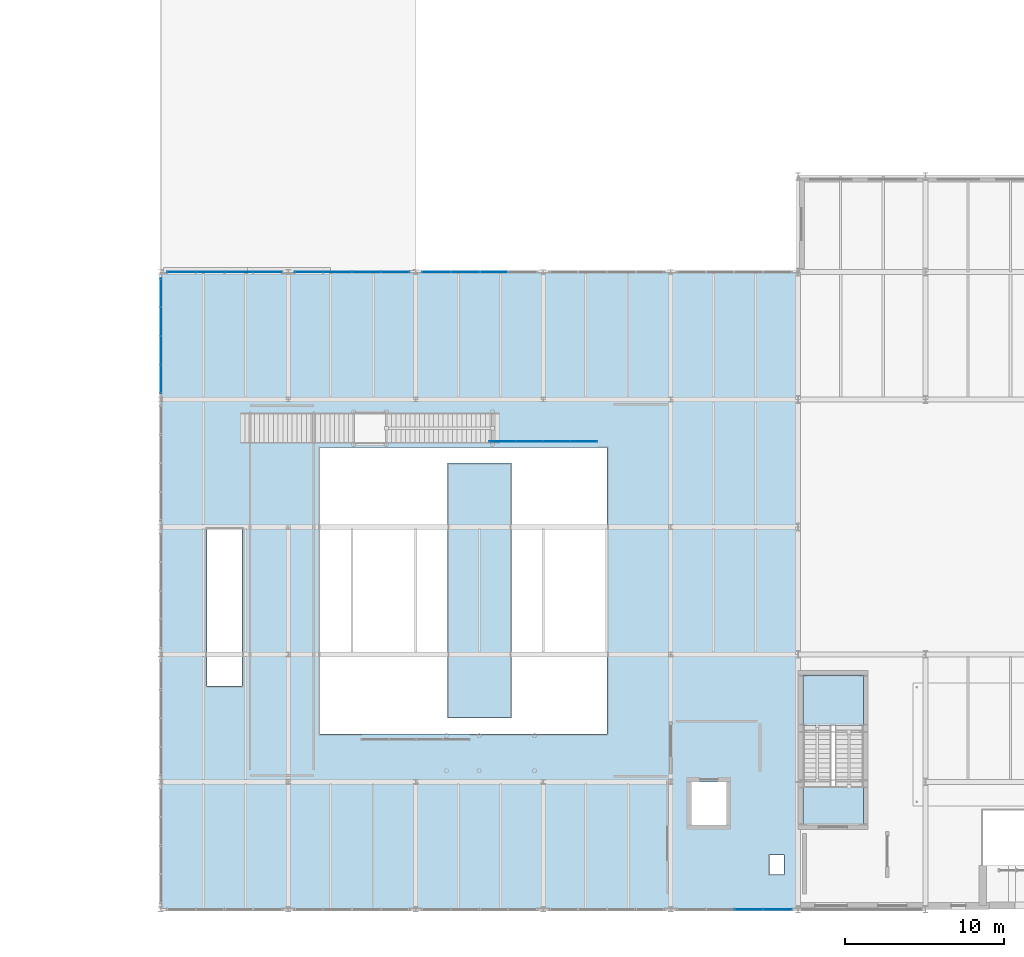
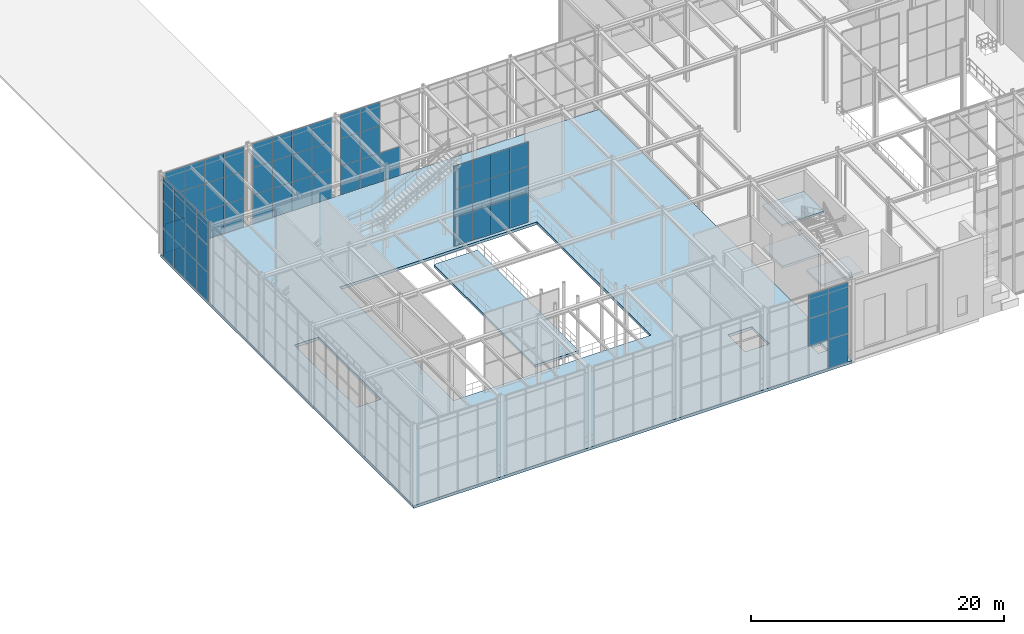
# One storey, part 76 of 138: 60 plates, 5 slabs, 7 elements without a shape of their own.
"""IFC4 building model written with IfcOpenShell, lengths in metres."""

from ifc_helpers import new_model, si_unit, direction, frame, origin, origin_2d, place, context, subcontext, project, spatial, polyline, rectangle, outline, extrude, material, layer, layer_set, type_object, element, aggregate, save


model = new_model("IFC4")

# Units and contexts
model_context = context("Model", 3, precision=1e-05, world=origin(), true_north=direction((0.0, 1.0)))
body_context = subcontext(model_context, "Body", "Model", "MODEL_VIEW")
ifc_project = project(units=[si_unit("LENGTHUNIT", "METRE"), si_unit("AREAUNIT", "SQUARE_METRE"), si_unit("VOLUMEUNIT", "CUBIC_METRE"), si_unit("PLANEANGLEUNIT", "RADIAN"), si_unit("MASSUNIT", "GRAM", prefix="KILO")], contexts=[model_context])

# Site, building, storey
site_placement = place(None, origin())
site = spatial("IfcSite", under=ifc_project, at=site_placement, CompositionType="ELEMENT")
building_placement = place(site_placement, origin())
building = spatial("IfcBuilding", under=site, at=building_placement, Name="Sundkrona Museum", CompositionType="ELEMENT")
storey_placement = place(building_placement, frame((0.0, 0.0, 9.60009765625)))
storey = spatial("IfcBuildingStorey", under=building, at=storey_placement, Name="L02", CompositionType="ELEMENT", Elevation=9.60009765625)

# Curtain wall, plates
ifc_material_1 = material(Name="Unitised Aluminium-Steel and Ceramic-Clad Curtain Walling", Category="steel")
curtain_wall_type_1 = type_object("IfcCurtainWallType", Name="CW-AT-72x74", PredefinedType="NOTDEFINED", material=ifc_material_1)
curtain_wall_1_placement = place(storey_placement, origin())
curtain_wall_1 = element("IfcCurtainWall", 1, at=curtain_wall_1_placement, inside=storey, type_object=curtain_wall_type_1, Name="L02 Curtain Wall CW-L02-047", PredefinedType="NOTDEFINED")
ifc_material_2 = material(Name="Triple Low-E Vision Glazing 32 mm", Category="glass")
ifc_layer_1 = layer(ifc_material_2, 0.031982421875)
ifc_layer_set_1 = layer_set([ifc_layer_1], Name="Triple Low-E Vision Glazing 32 mm")
plate_type_1 = type_object("IfcPlateType", Name="PN-GL-01", PredefinedType="CURTAIN_PANEL", material=ifc_layer_set_1)
plate_1_placement = place(storey_placement, frame((116.89990234375, 0.0, 2.78564453125), z_axis=(0.0, 0.0, 1.0), x_axis=(1.0, 0.0, 0.0)))
plate_1 = element("IfcPlate", 2, at=plate_1_placement, type_object=plate_type_1, Name="CW-L02-047 Panel 08", PredefinedType="CURTAIN_PANEL", context=body_context, shape_type="SweptSolid", body=[
    extrude(rectangle(XDim=1.800048828125, YDim=0.031982421875, at=origin_2d()), origin(), (0.0, 0.0, 1.0), 2.632080078125),
])
plate_2_placement = place(storey_placement, frame((116.89990234375, 0.0, 5.41796875), z_axis=(0.0, 0.0, 1.0), x_axis=(1.0, 0.0, 0.0)))
plate_2 = element("IfcPlate", 3, at=plate_2_placement, type_object=plate_type_1, Name="CW-L02-047 Panel 09", PredefinedType="CURTAIN_PANEL", context=body_context, shape_type="SweptSolid", body=[
    extrude(rectangle(XDim=1.800048828125, YDim=0.031982421875, at=origin_2d()), origin(), (0.0, 0.0, 1.0), 2.325927734375),
])
plate_3_placement = place(storey_placement, frame((118.699951171875, 0.0, -0.004150390625), z_axis=(0.0, 0.0, 1.0), x_axis=(1.0, 0.0, 0.0)))
plate_3 = element("IfcPlate", 4, at=plate_3_placement, type_object=plate_type_1, Name="CW-L02-047 Panel 10", PredefinedType="CURTAIN_PANEL", context=body_context, shape_type="SweptSolid", body=[
    extrude(rectangle(XDim=1.800048828125, YDim=0.031982421875, at=origin_2d()), origin(), (0.0, 0.0, 1.0), 2.7900390625),
])
plate_4_placement = place(storey_placement, frame((118.699951171875, 0.0, 2.78564453125), z_axis=(0.0, 0.0, 1.0), x_axis=(1.0, 0.0, 0.0)))
plate_4 = element("IfcPlate", 5, at=plate_4_placement, type_object=plate_type_1, Name="CW-L02-047 Panel 11", PredefinedType="CURTAIN_PANEL", context=body_context, shape_type="SweptSolid", body=[
    extrude(rectangle(XDim=1.800048828125, YDim=0.031982421875, at=origin_2d()), origin(), (0.0, 0.0, 1.0), 2.632080078125),
])
plate_5_placement = place(storey_placement, frame((118.699951171875, 0.0, 5.41796875), z_axis=(0.0, 0.0, 1.0), x_axis=(1.0, 0.0, 0.0)))
plate_5 = element("IfcPlate", 6, at=plate_5_placement, type_object=plate_type_1, Name="CW-L02-047 Panel 12", PredefinedType="CURTAIN_PANEL", context=body_context, shape_type="SweptSolid", body=[
    extrude(rectangle(XDim=1.800048828125, YDim=0.031982421875, at=origin_2d()), origin(), (0.0, 0.0, 1.0), 2.325927734375),
])
aggregate(curtain_wall_1, [plate_1, plate_2, plate_3, plate_4, plate_5])

curtain_wall_2_placement = place(storey_placement, origin())
curtain_wall_2 = element("IfcCurtainWall", 7, at=curtain_wall_2_placement, inside=storey, type_object=curtain_wall_type_1, Name="L02 Curtain Wall CW-L02-052", PredefinedType="NOTDEFINED")
plate_6_placement = place(storey_placement, frame((80.0, 33.300048828125, -0.004150390625), z_axis=(0.0, 0.0, 1.0), x_axis=(0.0, 1.0, 0.0)))
plate_6 = element("IfcPlate", 8, at=plate_6_placement, type_object=plate_type_1, Name="CW-L02-052 Panel 01", PredefinedType="CURTAIN_PANEL", context=body_context, shape_type="SweptSolid", body=[
    extrude(rectangle(XDim=1.800048828125, YDim=0.031982421875, at=origin_2d()), origin(), (0.0, 0.0, 1.0), 2.7900390625),
])
plate_7_placement = place(storey_placement, frame((80.0, 33.300048828125, 2.78564453125), z_axis=(0.0, 0.0, 1.0), x_axis=(0.0, 1.0, 0.0)))
plate_7 = element("IfcPlate", 9, at=plate_7_placement, type_object=plate_type_1, Name="CW-L02-052 Panel 02", PredefinedType="CURTAIN_PANEL", context=body_context, shape_type="SweptSolid", body=[
    extrude(rectangle(XDim=1.800048828125, YDim=0.031982421875, at=origin_2d()), origin(), (0.0, 0.0, 1.0), 2.632080078125),
])
plate_8_placement = place(storey_placement, frame((80.0, 33.300048828125, 5.41796875), z_axis=(0.0, 0.0, 1.0), x_axis=(0.0, 1.0, 0.0)))
plate_8 = element("IfcPlate", 10, at=plate_8_placement, type_object=plate_type_1, Name="CW-L02-052 Panel 03", PredefinedType="CURTAIN_PANEL", context=body_context, shape_type="SweptSolid", body=[
    extrude(rectangle(XDim=1.800048828125, YDim=0.031982421875, at=origin_2d()), origin(), (0.0, 0.0, 1.0), 2.325927734375),
])
plate_9_placement = place(storey_placement, frame((80.0, 35.10009765625, -0.004150390625), z_axis=(0.0, 0.0, 1.0), x_axis=(0.0, 1.0, 0.0)))
plate_9 = element("IfcPlate", 11, at=plate_9_placement, type_object=plate_type_1, Name="CW-L02-052 Panel 04", PredefinedType="CURTAIN_PANEL", context=body_context, shape_type="SweptSolid", body=[
    extrude(rectangle(XDim=1.800048828125, YDim=0.031982421875, at=origin_2d()), origin(), (0.0, 0.0, 1.0), 2.7900390625),
])
plate_10_placement = place(storey_placement, frame((80.0, 35.10009765625, 2.78564453125), z_axis=(0.0, 0.0, 1.0), x_axis=(0.0, 1.0, 0.0)))
plate_10 = element("IfcPlate", 12, at=plate_10_placement, type_object=plate_type_1, Name="CW-L02-052 Panel 05", PredefinedType="CURTAIN_PANEL", context=body_context, shape_type="SweptSolid", body=[
    extrude(rectangle(XDim=1.800048828125, YDim=0.031982421875, at=origin_2d()), origin(), (0.0, 0.0, 1.0), 2.632080078125),
])
plate_11_placement = place(storey_placement, frame((80.0, 35.10009765625, 5.41796875), z_axis=(0.0, 0.0, 1.0), x_axis=(0.0, 1.0, 0.0)))
plate_11 = element("IfcPlate", 13, at=plate_11_placement, type_object=plate_type_1, Name="CW-L02-052 Panel 06", PredefinedType="CURTAIN_PANEL", context=body_context, shape_type="SweptSolid", body=[
    extrude(rectangle(XDim=1.800048828125, YDim=0.031982421875, at=origin_2d()), origin(), (0.0, 0.0, 1.0), 2.325927734375),
])
plate_12_placement = place(storey_placement, frame((80.0, 36.89990234375, -0.004150390625), z_axis=(0.0, 0.0, 1.0), x_axis=(0.0, 1.0, 0.0)))
plate_12 = element("IfcPlate", 14, at=plate_12_placement, type_object=plate_type_1, Name="CW-L02-052 Panel 07", PredefinedType="CURTAIN_PANEL", context=body_context, shape_type="SweptSolid", body=[
    extrude(rectangle(XDim=1.800048828125, YDim=0.031982421875, at=origin_2d()), origin(), (0.0, 0.0, 1.0), 2.7900390625),
])
plate_13_placement = place(storey_placement, frame((80.0, 36.89990234375, 2.78564453125), z_axis=(0.0, 0.0, 1.0), x_axis=(0.0, 1.0, 0.0)))
plate_13 = element("IfcPlate", 15, at=plate_13_placement, type_object=plate_type_1, Name="CW-L02-052 Panel 08", PredefinedType="CURTAIN_PANEL", context=body_context, shape_type="SweptSolid", body=[
    extrude(rectangle(XDim=1.800048828125, YDim=0.031982421875, at=origin_2d()), origin(), (0.0, 0.0, 1.0), 2.632080078125),
])
plate_14_placement = place(storey_placement, frame((80.0, 36.89990234375, 5.41796875), z_axis=(0.0, 0.0, 1.0), x_axis=(0.0, 1.0, 0.0)))
plate_14 = element("IfcPlate", 16, at=plate_14_placement, type_object=plate_type_1, Name="CW-L02-052 Panel 09", PredefinedType="CURTAIN_PANEL", context=body_context, shape_type="SweptSolid", body=[
    extrude(rectangle(XDim=1.800048828125, YDim=0.031982421875, at=origin_2d()), origin(), (0.0, 0.0, 1.0), 2.325927734375),
])
plate_15_placement = place(storey_placement, frame((80.0, 38.699951171875, -0.004150390625), z_axis=(0.0, 0.0, 1.0), x_axis=(0.0, 1.0, 0.0)))
plate_15 = element("IfcPlate", 17, at=plate_15_placement, type_object=plate_type_1, Name="CW-L02-052 Panel 10", PredefinedType="CURTAIN_PANEL", context=body_context, shape_type="SweptSolid", body=[
    extrude(rectangle(XDim=1.800048828125, YDim=0.031982421875, at=origin_2d()), origin(), (0.0, 0.0, 1.0), 2.7900390625),
])
plate_16_placement = place(storey_placement, frame((80.0, 38.699951171875, 2.78564453125), z_axis=(0.0, 0.0, 1.0), x_axis=(0.0, 1.0, 0.0)))
plate_16 = element("IfcPlate", 18, at=plate_16_placement, type_object=plate_type_1, Name="CW-L02-052 Panel 11", PredefinedType="CURTAIN_PANEL", context=body_context, shape_type="SweptSolid", body=[
    extrude(rectangle(XDim=1.800048828125, YDim=0.031982421875, at=origin_2d()), origin(), (0.0, 0.0, 1.0), 2.632080078125),
])
plate_17_placement = place(storey_placement, frame((80.0, 38.699951171875, 5.41796875), z_axis=(0.0, 0.0, 1.0), x_axis=(0.0, 1.0, 0.0)))
plate_17 = element("IfcPlate", 19, at=plate_17_placement, type_object=plate_type_1, Name="CW-L02-052 Panel 12", PredefinedType="CURTAIN_PANEL", context=body_context, shape_type="SweptSolid", body=[
    extrude(rectangle(XDim=1.800048828125, YDim=0.031982421875, at=origin_2d()), origin(), (0.0, 0.0, 1.0), 2.325927734375),
])
aggregate(curtain_wall_2, [plate_6, plate_7, plate_8, plate_9, plate_10, plate_11, plate_12, plate_13, plate_14, plate_15, plate_16, plate_17])

curtain_wall_3_placement = place(storey_placement, origin())
curtain_wall_3 = element("IfcCurtainWall", 20, at=curtain_wall_3_placement, inside=storey, type_object=curtain_wall_type_1, Name="L02 Curtain Wall CW-L02-053", PredefinedType="NOTDEFINED")
plate_18_placement = place(storey_placement, frame((81.300048828125, 40.0, -0.004150390625), z_axis=(0.0, 0.0, 1.0), x_axis=(1.0, 0.0, 0.0)))
plate_18 = element("IfcPlate", 21, at=plate_18_placement, type_object=plate_type_1, Name="CW-L02-053 Panel 01", PredefinedType="CURTAIN_PANEL", context=body_context, shape_type="SweptSolid", body=[
    extrude(rectangle(XDim=1.800048828125, YDim=0.031982421875, at=origin_2d()), origin(), (0.0, 0.0, 1.0), 2.7900390625),
])
plate_19_placement = place(storey_placement, frame((81.300048828125, 40.0, 2.78564453125), z_axis=(0.0, 0.0, 1.0), x_axis=(1.0, 0.0, 0.0)))
plate_19 = element("IfcPlate", 22, at=plate_19_placement, type_object=plate_type_1, Name="CW-L02-053 Panel 02", PredefinedType="CURTAIN_PANEL", context=body_context, shape_type="SweptSolid", body=[
    extrude(rectangle(XDim=1.800048828125, YDim=0.031982421875, at=origin_2d()), origin(), (0.0, 0.0, 1.0), 2.632080078125),
])
plate_20_placement = place(storey_placement, frame((81.300048828125, 40.0, 5.41796875), z_axis=(0.0, 0.0, 1.0), x_axis=(1.0, 0.0, 0.0)))
plate_20 = element("IfcPlate", 23, at=plate_20_placement, type_object=plate_type_1, Name="CW-L02-053 Panel 03", PredefinedType="CURTAIN_PANEL", context=body_context, shape_type="SweptSolid", body=[
    extrude(rectangle(XDim=1.800048828125, YDim=0.031982421875, at=origin_2d()), origin(), (0.0, 0.0, 1.0), 2.325927734375),
])
plate_21_placement = place(storey_placement, frame((83.10009765625, 40.0, -0.004150390625), z_axis=(0.0, 0.0, 1.0), x_axis=(1.0, 0.0, 0.0)))
plate_21 = element("IfcPlate", 24, at=plate_21_placement, type_object=plate_type_1, Name="CW-L02-053 Panel 04", PredefinedType="CURTAIN_PANEL", context=body_context, shape_type="SweptSolid", body=[
    extrude(rectangle(XDim=1.800048828125, YDim=0.031982421875, at=origin_2d()), origin(), (0.0, 0.0, 1.0), 2.7900390625),
])
plate_22_placement = place(storey_placement, frame((83.10009765625, 40.0, 2.78564453125), z_axis=(0.0, 0.0, 1.0), x_axis=(1.0, 0.0, 0.0)))
plate_22 = element("IfcPlate", 25, at=plate_22_placement, type_object=plate_type_1, Name="CW-L02-053 Panel 05", PredefinedType="CURTAIN_PANEL", context=body_context, shape_type="SweptSolid", body=[
    extrude(rectangle(XDim=1.800048828125, YDim=0.031982421875, at=origin_2d()), origin(), (0.0, 0.0, 1.0), 2.632080078125),
])
plate_23_placement = place(storey_placement, frame((83.10009765625, 40.0, 5.41796875), z_axis=(0.0, 0.0, 1.0), x_axis=(1.0, 0.0, 0.0)))
plate_23 = element("IfcPlate", 26, at=plate_23_placement, type_object=plate_type_1, Name="CW-L02-053 Panel 06", PredefinedType="CURTAIN_PANEL", context=body_context, shape_type="SweptSolid", body=[
    extrude(rectangle(XDim=1.800048828125, YDim=0.031982421875, at=origin_2d()), origin(), (0.0, 0.0, 1.0), 2.325927734375),
])
plate_24_placement = place(storey_placement, frame((84.89990234375, 40.0, -0.004150390625), z_axis=(0.0, 0.0, 1.0), x_axis=(1.0, 0.0, 0.0)))
plate_24 = element("IfcPlate", 27, at=plate_24_placement, type_object=plate_type_1, Name="CW-L02-053 Panel 07", PredefinedType="CURTAIN_PANEL", context=body_context, shape_type="SweptSolid", body=[
    extrude(rectangle(XDim=1.800048828125, YDim=0.031982421875, at=origin_2d()), origin(), (0.0, 0.0, 1.0), 2.7900390625),
])
plate_25_placement = place(storey_placement, frame((84.89990234375, 40.0, 2.78564453125), z_axis=(0.0, 0.0, 1.0), x_axis=(1.0, 0.0, 0.0)))
plate_25 = element("IfcPlate", 28, at=plate_25_placement, type_object=plate_type_1, Name="CW-L02-053 Panel 08", PredefinedType="CURTAIN_PANEL", context=body_context, shape_type="SweptSolid", body=[
    extrude(rectangle(XDim=1.800048828125, YDim=0.031982421875, at=origin_2d()), origin(), (0.0, 0.0, 1.0), 2.632080078125),
])
plate_26_placement = place(storey_placement, frame((84.89990234375, 40.0, 5.41796875), z_axis=(0.0, 0.0, 1.0), x_axis=(1.0, 0.0, 0.0)))
plate_26 = element("IfcPlate", 29, at=plate_26_placement, type_object=plate_type_1, Name="CW-L02-053 Panel 09", PredefinedType="CURTAIN_PANEL", context=body_context, shape_type="SweptSolid", body=[
    extrude(rectangle(XDim=1.800048828125, YDim=0.031982421875, at=origin_2d()), origin(), (0.0, 0.0, 1.0), 2.325927734375),
])
plate_27_placement = place(storey_placement, frame((86.699951171875, 40.0, -0.004150390625), z_axis=(0.0, 0.0, 1.0), x_axis=(1.0, 0.0, 0.0)))
plate_27 = element("IfcPlate", 30, at=plate_27_placement, type_object=plate_type_1, Name="CW-L02-053 Panel 10", PredefinedType="CURTAIN_PANEL", context=body_context, shape_type="SweptSolid", body=[
    extrude(rectangle(XDim=1.800048828125, YDim=0.031982421875, at=origin_2d()), origin(), (0.0, 0.0, 1.0), 2.7900390625),
])
plate_28_placement = place(storey_placement, frame((86.699951171875, 40.0, 2.78564453125), z_axis=(0.0, 0.0, 1.0), x_axis=(1.0, 0.0, 0.0)))
plate_28 = element("IfcPlate", 31, at=plate_28_placement, type_object=plate_type_1, Name="CW-L02-053 Panel 11", PredefinedType="CURTAIN_PANEL", context=body_context, shape_type="SweptSolid", body=[
    extrude(rectangle(XDim=1.800048828125, YDim=0.031982421875, at=origin_2d()), origin(), (0.0, 0.0, 1.0), 2.632080078125),
])
plate_29_placement = place(storey_placement, frame((86.699951171875, 40.0, 5.41796875), z_axis=(0.0, 0.0, 1.0), x_axis=(1.0, 0.0, 0.0)))
plate_29 = element("IfcPlate", 32, at=plate_29_placement, type_object=plate_type_1, Name="CW-L02-053 Panel 12", PredefinedType="CURTAIN_PANEL", context=body_context, shape_type="SweptSolid", body=[
    extrude(rectangle(XDim=1.800048828125, YDim=0.031982421875, at=origin_2d()), origin(), (0.0, 0.0, 1.0), 2.325927734375),
])
aggregate(curtain_wall_3, [plate_18, plate_19, plate_20, plate_21, plate_22, plate_23, plate_24, plate_25, plate_26, plate_27, plate_28, plate_29])

curtain_wall_4_placement = place(storey_placement, origin())
curtain_wall_4 = element("IfcCurtainWall", 33, at=curtain_wall_4_placement, inside=storey, type_object=curtain_wall_type_1, Name="L02 Curtain Wall CW-L02-054", PredefinedType="NOTDEFINED")
plate_30_placement = place(storey_placement, frame((89.300048828125, 40.0, -0.004150390625), z_axis=(0.0, 0.0, 1.0), x_axis=(1.0, 0.0, 0.0)))
plate_30 = element("IfcPlate", 34, at=plate_30_placement, type_object=plate_type_1, Name="CW-L02-054 Panel 01", PredefinedType="CURTAIN_PANEL", context=body_context, shape_type="SweptSolid", body=[
    extrude(rectangle(XDim=1.800048828125, YDim=0.031982421875, at=origin_2d()), origin(), (0.0, 0.0, 1.0), 2.7900390625),
])
plate_31_placement = place(storey_placement, frame((89.300048828125, 40.0, 2.78564453125), z_axis=(0.0, 0.0, 1.0), x_axis=(1.0, 0.0, 0.0)))
plate_31 = element("IfcPlate", 35, at=plate_31_placement, type_object=plate_type_1, Name="CW-L02-054 Panel 02", PredefinedType="CURTAIN_PANEL", context=body_context, shape_type="SweptSolid", body=[
    extrude(rectangle(XDim=1.800048828125, YDim=0.031982421875, at=origin_2d()), origin(), (0.0, 0.0, 1.0), 2.632080078125),
])
plate_32_placement = place(storey_placement, frame((89.300048828125, 40.0, 5.41796875), z_axis=(0.0, 0.0, 1.0), x_axis=(1.0, 0.0, 0.0)))
plate_32 = element("IfcPlate", 36, at=plate_32_placement, type_object=plate_type_1, Name="CW-L02-054 Panel 03", PredefinedType="CURTAIN_PANEL", context=body_context, shape_type="SweptSolid", body=[
    extrude(rectangle(XDim=1.800048828125, YDim=0.031982421875, at=origin_2d()), origin(), (0.0, 0.0, 1.0), 2.325927734375),
])
plate_33_placement = place(storey_placement, frame((91.10009765625, 40.0, -0.004150390625), z_axis=(0.0, 0.0, 1.0), x_axis=(1.0, 0.0, 0.0)))
plate_33 = element("IfcPlate", 37, at=plate_33_placement, type_object=plate_type_1, Name="CW-L02-054 Panel 04", PredefinedType="CURTAIN_PANEL", context=body_context, shape_type="SweptSolid", body=[
    extrude(rectangle(XDim=1.800048828125, YDim=0.031982421875, at=origin_2d()), origin(), (0.0, 0.0, 1.0), 2.7900390625),
])
plate_34_placement = place(storey_placement, frame((91.10009765625, 40.0, 2.78564453125), z_axis=(0.0, 0.0, 1.0), x_axis=(1.0, 0.0, 0.0)))
plate_34 = element("IfcPlate", 38, at=plate_34_placement, type_object=plate_type_1, Name="CW-L02-054 Panel 05", PredefinedType="CURTAIN_PANEL", context=body_context, shape_type="SweptSolid", body=[
    extrude(rectangle(XDim=1.800048828125, YDim=0.031982421875, at=origin_2d()), origin(), (0.0, 0.0, 1.0), 2.632080078125),
])
plate_35_placement = place(storey_placement, frame((91.10009765625, 40.0, 5.41796875), z_axis=(0.0, 0.0, 1.0), x_axis=(1.0, 0.0, 0.0)))
plate_35 = element("IfcPlate", 39, at=plate_35_placement, type_object=plate_type_1, Name="CW-L02-054 Panel 06", PredefinedType="CURTAIN_PANEL", context=body_context, shape_type="SweptSolid", body=[
    extrude(rectangle(XDim=1.800048828125, YDim=0.031982421875, at=origin_2d()), origin(), (0.0, 0.0, 1.0), 2.325927734375),
])
plate_36_placement = place(storey_placement, frame((92.89990234375, 40.0, -0.004150390625), z_axis=(0.0, 0.0, 1.0), x_axis=(1.0, 0.0, 0.0)))
plate_36 = element("IfcPlate", 40, at=plate_36_placement, type_object=plate_type_1, Name="CW-L02-054 Panel 07", PredefinedType="CURTAIN_PANEL", context=body_context, shape_type="SweptSolid", body=[
    extrude(rectangle(XDim=1.800048828125, YDim=0.031982421875, at=origin_2d()), origin(), (0.0, 0.0, 1.0), 2.7900390625),
])
plate_37_placement = place(storey_placement, frame((92.89990234375, 40.0, 2.78564453125), z_axis=(0.0, 0.0, 1.0), x_axis=(1.0, 0.0, 0.0)))
plate_37 = element("IfcPlate", 41, at=plate_37_placement, type_object=plate_type_1, Name="CW-L02-054 Panel 08", PredefinedType="CURTAIN_PANEL", context=body_context, shape_type="SweptSolid", body=[
    extrude(rectangle(XDim=1.800048828125, YDim=0.031982421875, at=origin_2d()), origin(), (0.0, 0.0, 1.0), 2.632080078125),
])
plate_38_placement = place(storey_placement, frame((92.89990234375, 40.0, 5.41796875), z_axis=(0.0, 0.0, 1.0), x_axis=(1.0, 0.0, 0.0)))
plate_38 = element("IfcPlate", 42, at=plate_38_placement, type_object=plate_type_1, Name="CW-L02-054 Panel 09", PredefinedType="CURTAIN_PANEL", context=body_context, shape_type="SweptSolid", body=[
    extrude(rectangle(XDim=1.800048828125, YDim=0.031982421875, at=origin_2d()), origin(), (0.0, 0.0, 1.0), 2.325927734375),
])
plate_39_placement = place(storey_placement, frame((94.699951171875, 40.0, -0.004150390625), z_axis=(0.0, 0.0, 1.0), x_axis=(1.0, 0.0, 0.0)))
plate_39 = element("IfcPlate", 43, at=plate_39_placement, type_object=plate_type_1, Name="CW-L02-054 Panel 10", PredefinedType="CURTAIN_PANEL", context=body_context, shape_type="SweptSolid", body=[
    extrude(rectangle(XDim=1.800048828125, YDim=0.031982421875, at=origin_2d()), origin(), (0.0, 0.0, 1.0), 2.7900390625),
])
plate_40_placement = place(storey_placement, frame((94.699951171875, 40.0, 2.78564453125), z_axis=(0.0, 0.0, 1.0), x_axis=(1.0, 0.0, 0.0)))
plate_40 = element("IfcPlate", 44, at=plate_40_placement, type_object=plate_type_1, Name="CW-L02-054 Panel 11", PredefinedType="CURTAIN_PANEL", context=body_context, shape_type="SweptSolid", body=[
    extrude(rectangle(XDim=1.800048828125, YDim=0.031982421875, at=origin_2d()), origin(), (0.0, 0.0, 1.0), 2.632080078125),
])
plate_41_placement = place(storey_placement, frame((94.699951171875, 40.0, 5.41796875), z_axis=(0.0, 0.0, 1.0), x_axis=(1.0, 0.0, 0.0)))
plate_41 = element("IfcPlate", 45, at=plate_41_placement, type_object=plate_type_1, Name="CW-L02-054 Panel 12", PredefinedType="CURTAIN_PANEL", context=body_context, shape_type="SweptSolid", body=[
    extrude(rectangle(XDim=1.800048828125, YDim=0.031982421875, at=origin_2d()), origin(), (0.0, 0.0, 1.0), 2.325927734375),
])
aggregate(curtain_wall_4, [plate_30, plate_31, plate_32, plate_33, plate_34, plate_35, plate_36, plate_37, plate_38, plate_39, plate_40, plate_41])

curtain_wall_5_placement = place(storey_placement, origin())
curtain_wall_5 = element("IfcCurtainWall", 46, at=curtain_wall_5_placement, inside=storey, type_object=curtain_wall_type_1, Name="L02 Curtain Wall CW-L02-055", PredefinedType="NOTDEFINED")
plate_42_placement = place(storey_placement, frame((97.300048828125, 40.0, -0.004150390625), z_axis=(0.0, 0.0, 1.0), x_axis=(1.0, 0.0, 0.0)))
plate_42 = element("IfcPlate", 47, at=plate_42_placement, type_object=plate_type_1, Name="CW-L02-055 Panel 01", PredefinedType="CURTAIN_PANEL", context=body_context, shape_type="SweptSolid", body=[
    extrude(rectangle(XDim=1.800048828125, YDim=0.031982421875, at=origin_2d()), origin(), (0.0, 0.0, 1.0), 2.7900390625),
])
plate_43_placement = place(storey_placement, frame((97.300048828125, 40.0, 2.78564453125), z_axis=(0.0, 0.0, 1.0), x_axis=(1.0, 0.0, 0.0)))
plate_43 = element("IfcPlate", 48, at=plate_43_placement, type_object=plate_type_1, Name="CW-L02-055 Panel 02", PredefinedType="CURTAIN_PANEL", context=body_context, shape_type="SweptSolid", body=[
    extrude(rectangle(XDim=1.800048828125, YDim=0.031982421875, at=origin_2d()), origin(), (0.0, 0.0, 1.0), 2.632080078125),
])
plate_44_placement = place(storey_placement, frame((97.300048828125, 40.0, 5.41796875), z_axis=(0.0, 0.0, 1.0), x_axis=(1.0, 0.0, 0.0)))
plate_44 = element("IfcPlate", 49, at=plate_44_placement, type_object=plate_type_1, Name="CW-L02-055 Panel 03", PredefinedType="CURTAIN_PANEL", context=body_context, shape_type="SweptSolid", body=[
    extrude(rectangle(XDim=1.800048828125, YDim=0.031982421875, at=origin_2d()), origin(), (0.0, 0.0, 1.0), 2.325927734375),
])
plate_45_placement = place(storey_placement, frame((99.10009765625, 40.0, -0.004150390625), z_axis=(0.0, 0.0, 1.0), x_axis=(1.0, 0.0, 0.0)))
plate_45 = element("IfcPlate", 50, at=plate_45_placement, type_object=plate_type_1, Name="CW-L02-055 Panel 04", PredefinedType="CURTAIN_PANEL", context=body_context, shape_type="SweptSolid", body=[
    extrude(rectangle(XDim=1.800048828125, YDim=0.031982421875, at=origin_2d()), origin(), (0.0, 0.0, 1.0), 2.7900390625),
])
plate_46_placement = place(storey_placement, frame((99.10009765625, 40.0, 2.78564453125), z_axis=(0.0, 0.0, 1.0), x_axis=(1.0, 0.0, 0.0)))
plate_46 = element("IfcPlate", 51, at=plate_46_placement, type_object=plate_type_1, Name="CW-L02-055 Panel 05", PredefinedType="CURTAIN_PANEL", context=body_context, shape_type="SweptSolid", body=[
    extrude(rectangle(XDim=1.800048828125, YDim=0.031982421875, at=origin_2d()), origin(), (0.0, 0.0, 1.0), 2.632080078125),
])
plate_47_placement = place(storey_placement, frame((99.10009765625, 40.0, 5.41796875), z_axis=(0.0, 0.0, 1.0), x_axis=(1.0, 0.0, 0.0)))
plate_47 = element("IfcPlate", 52, at=plate_47_placement, type_object=plate_type_1, Name="CW-L02-055 Panel 06", PredefinedType="CURTAIN_PANEL", context=body_context, shape_type="SweptSolid", body=[
    extrude(rectangle(XDim=1.800048828125, YDim=0.031982421875, at=origin_2d()), origin(), (0.0, 0.0, 1.0), 2.325927734375),
])
plate_48_placement = place(storey_placement, frame((100.89990234375, 40.0, -0.004150390625), z_axis=(0.0, 0.0, 1.0), x_axis=(1.0, 0.0, 0.0)))
plate_48 = element("IfcPlate", 53, at=plate_48_placement, type_object=plate_type_1, Name="CW-L02-055 Panel 07", PredefinedType="CURTAIN_PANEL", context=body_context, shape_type="SweptSolid", body=[
    extrude(rectangle(XDim=1.800048828125, YDim=0.031982421875, at=origin_2d()), origin(), (0.0, 0.0, 1.0), 2.7900390625),
])
aggregate(curtain_wall_5, [plate_42, plate_43, plate_44, plate_45, plate_46, plate_47, plate_48])

curtain_wall_type_2 = type_object("IfcCurtainWallType", Name="CW-IN-68x70", PredefinedType="NOTDEFINED", material=ifc_material_1)
curtain_wall_6_placement = place(storey_placement, origin())
curtain_wall_6 = element("IfcCurtainWall", 54, at=curtain_wall_6_placement, inside=storey, type_object=curtain_wall_type_2, Name="L02 Curtain Wall CW-L02-059", PredefinedType="NOTDEFINED")
ifc_material_3 = material(Name="Tempered Laminated Fire Glass 32 mm", Category="glass")
ifc_layer_2 = layer(ifc_material_3, 0.031982421875)
ifc_layer_set_2 = layer_set([ifc_layer_2], Name="Tempered Laminated Fire Glass 32 mm")
plate_type_2 = type_object("IfcPlateType", Name="PN-IN-01", PredefinedType="CURTAIN_PANEL", material=ifc_layer_set_2)
plate_49_placement = place(storey_placement, frame((101.449951171875, 29.35009765625, -0.004150390625), z_axis=(0.0, 0.0, 1.0), x_axis=(1.0, 0.0, 0.0)))
plate_49 = element("IfcPlate", 55, at=plate_49_placement, type_object=plate_type_2, Name="CW-L02-059 Panel 01", PredefinedType="CURTAIN_PANEL", context=body_context, shape_type="SweptSolid", body=[
    extrude(rectangle(XDim=1.699951171875, YDim=0.031982421875, at=origin_2d()), origin(), (0.0, 0.0, 1.0), 2.7900390625),
])
plate_50_placement = place(storey_placement, frame((101.449951171875, 29.35009765625, 2.78564453125), z_axis=(0.0, 0.0, 1.0), x_axis=(1.0, 0.0, 0.0)))
plate_50 = element("IfcPlate", 56, at=plate_50_placement, type_object=plate_type_2, Name="CW-L02-059 Panel 02", PredefinedType="CURTAIN_PANEL", context=body_context, shape_type="SweptSolid", body=[
    extrude(rectangle(XDim=1.699951171875, YDim=0.031982421875, at=origin_2d()), origin(), (0.0, 0.0, 1.0), 2.632080078125),
])
plate_51_placement = place(storey_placement, frame((101.449951171875, 29.35009765625, 5.41796875), z_axis=(0.0, 0.0, 1.0), x_axis=(1.0, 0.0, 0.0)))
plate_51 = element("IfcPlate", 57, at=plate_51_placement, type_object=plate_type_2, Name="CW-L02-059 Panel 03", PredefinedType="CURTAIN_PANEL", context=body_context, shape_type="SweptSolid", body=[
    extrude(rectangle(XDim=1.699951171875, YDim=0.031982421875, at=origin_2d()), origin(), (0.0, 0.0, 1.0), 2.325927734375),
])
plate_52_placement = place(storey_placement, frame((103.14990234375, 29.35009765625, -0.004150390625), z_axis=(0.0, 0.0, 1.0), x_axis=(1.0, 0.0, 0.0)))
plate_52 = element("IfcPlate", 58, at=plate_52_placement, type_object=plate_type_2, Name="CW-L02-059 Panel 04", PredefinedType="CURTAIN_PANEL", context=body_context, shape_type="SweptSolid", body=[
    extrude(rectangle(XDim=1.699951171875, YDim=0.031982421875, at=origin_2d()), origin(), (0.0, 0.0, 1.0), 2.7900390625),
])
plate_53_placement = place(storey_placement, frame((103.14990234375, 29.35009765625, 2.78564453125), z_axis=(0.0, 0.0, 1.0), x_axis=(1.0, 0.0, 0.0)))
plate_53 = element("IfcPlate", 59, at=plate_53_placement, type_object=plate_type_2, Name="CW-L02-059 Panel 05", PredefinedType="CURTAIN_PANEL", context=body_context, shape_type="SweptSolid", body=[
    extrude(rectangle(XDim=1.699951171875, YDim=0.031982421875, at=origin_2d()), origin(), (0.0, 0.0, 1.0), 2.632080078125),
])
plate_54_placement = place(storey_placement, frame((103.14990234375, 29.35009765625, 5.41796875), z_axis=(0.0, 0.0, 1.0), x_axis=(1.0, 0.0, 0.0)))
plate_54 = element("IfcPlate", 60, at=plate_54_placement, type_object=plate_type_2, Name="CW-L02-059 Panel 06", PredefinedType="CURTAIN_PANEL", context=body_context, shape_type="SweptSolid", body=[
    extrude(rectangle(XDim=1.699951171875, YDim=0.031982421875, at=origin_2d()), origin(), (0.0, 0.0, 1.0), 2.325927734375),
])
plate_55_placement = place(storey_placement, frame((104.85009765625, 29.35009765625, -0.004150390625), z_axis=(0.0, 0.0, 1.0), x_axis=(1.0, 0.0, 0.0)))
plate_55 = element("IfcPlate", 61, at=plate_55_placement, type_object=plate_type_2, Name="CW-L02-059 Panel 07", PredefinedType="CURTAIN_PANEL", context=body_context, shape_type="SweptSolid", body=[
    extrude(rectangle(XDim=1.699951171875, YDim=0.031982421875, at=origin_2d()), origin(), (0.0, 0.0, 1.0), 2.7900390625),
])
plate_56_placement = place(storey_placement, frame((104.85009765625, 29.35009765625, 2.78564453125), z_axis=(0.0, 0.0, 1.0), x_axis=(1.0, 0.0, 0.0)))
plate_56 = element("IfcPlate", 62, at=plate_56_placement, type_object=plate_type_2, Name="CW-L02-059 Panel 08", PredefinedType="CURTAIN_PANEL", context=body_context, shape_type="SweptSolid", body=[
    extrude(rectangle(XDim=1.699951171875, YDim=0.031982421875, at=origin_2d()), origin(), (0.0, 0.0, 1.0), 2.632080078125),
])
plate_57_placement = place(storey_placement, frame((104.85009765625, 29.35009765625, 5.41796875), z_axis=(0.0, 0.0, 1.0), x_axis=(1.0, 0.0, 0.0)))
plate_57 = element("IfcPlate", 63, at=plate_57_placement, type_object=plate_type_2, Name="CW-L02-059 Panel 09", PredefinedType="CURTAIN_PANEL", context=body_context, shape_type="SweptSolid", body=[
    extrude(rectangle(XDim=1.699951171875, YDim=0.031982421875, at=origin_2d()), origin(), (0.0, 0.0, 1.0), 2.325927734375),
])
plate_58_placement = place(storey_placement, frame((106.550048828125, 29.35009765625, -0.004150390625), z_axis=(0.0, 0.0, 1.0), x_axis=(1.0, 0.0, 0.0)))
plate_58 = element("IfcPlate", 64, at=plate_58_placement, type_object=plate_type_2, Name="CW-L02-059 Panel 10", PredefinedType="CURTAIN_PANEL", context=body_context, shape_type="SweptSolid", body=[
    extrude(rectangle(XDim=1.699951171875, YDim=0.031982421875, at=origin_2d()), origin(), (0.0, 0.0, 1.0), 2.7900390625),
])
plate_59_placement = place(storey_placement, frame((106.550048828125, 29.35009765625, 2.78564453125), z_axis=(0.0, 0.0, 1.0), x_axis=(1.0, 0.0, 0.0)))
plate_59 = element("IfcPlate", 65, at=plate_59_placement, type_object=plate_type_2, Name="CW-L02-059 Panel 11", PredefinedType="CURTAIN_PANEL", context=body_context, shape_type="SweptSolid", body=[
    extrude(rectangle(XDim=1.699951171875, YDim=0.031982421875, at=origin_2d()), origin(), (0.0, 0.0, 1.0), 2.632080078125),
])
plate_60_placement = place(storey_placement, frame((106.550048828125, 29.35009765625, 5.41796875), z_axis=(0.0, 0.0, 1.0), x_axis=(1.0, 0.0, 0.0)))
plate_60 = element("IfcPlate", 66, at=plate_60_placement, type_object=plate_type_2, Name="CW-L02-059 Panel 12", PredefinedType="CURTAIN_PANEL", context=body_context, shape_type="SweptSolid", body=[
    extrude(rectangle(XDim=1.699951171875, YDim=0.031982421875, at=origin_2d()), origin(), (0.0, 0.0, 1.0), 2.325927734375),
])
aggregate(curtain_wall_6, [plate_49, plate_50, plate_51, plate_52, plate_53, plate_54, plate_55, plate_56, plate_57, plate_58, plate_59, plate_60])

# Slabs
ifc_material_4 = material(Name="Concrete C35/45", Category="concrete")
ifc_layer_3 = layer(ifc_material_4, 0.239990234375)
ifc_layer_set_3 = layer_set([ifc_layer_3], Name="Concrete C35/45")
slab_type_1 = type_object("IfcSlabType", Name="SL-FL-240", PredefinedType="FLOOR", material=ifc_layer_set_3)
slab_1_placement = place(storey_placement, frame((0.0, 0.0, -0.239990234375)))
element("IfcSlab", 67, at=slab_1_placement, inside=storey, type_object=slab_type_1, Name="L02 Standard composite gallery floor slab 240 mm (SL-L02-BRG)", PredefinedType="FLOOR", context=body_context, shape_type="SweptSolid", body=[
    extrude(outline(polyline([(98.0, 12.0), (102.0, 12.0), (102.0, 28.0), (98.0, 28.0), (98.0, 12.0)])), origin(), (0.0, 0.0, 1.0), 0.239990234375),
])
ifc_layer_4 = layer(ifc_material_4, 0.260009765625)
ifc_layer_set_4 = layer_set([ifc_layer_4], Name="Concrete C35/45")
slab_type_2 = type_object("IfcSlabType", Name="SL-FL-260", PredefinedType="FLOOR", material=ifc_layer_set_4)
slab_2_placement = place(storey_placement, frame((0.0, 0.0, -0.260009765625)))
element("IfcSlab", 68, at=slab_2_placement, inside=storey, type_object=slab_type_2, Name="L02 Atrium and education composite floor slab 260 mm (SL-L02-V2A)", PredefinedType="FLOOR", context=body_context, shape_type="SweptSolid", body=[
    extrude(outline(polyline([(80.0, 0.0), (120.0, 0.0), (120.0, 40.0), (80.0, 40.0), (80.0, 0.0)]), holes=[polyline([(119.10009765625, 2.199951171875), (118.199951171875, 2.199951171875), (118.199951171875, 3.39990234375), (119.10009765625, 3.39990234375), (119.10009765625, 2.199951171875)]), polyline([(115.5, 5.300048828125), (113.300048828125, 5.300048828125), (113.300048828125, 8.0), (115.5, 8.0), (115.5, 5.300048828125)]), polyline([(108.0, 11.0), (90.0, 11.0), (90.0, 29.0), (108.0, 29.0), (108.0, 11.0)]), polyline([(85.10009765625, 14.02001953125), (82.89990234375, 14.02001953125), (82.89990234375, 23.8798828125), (85.10009765625, 23.8798828125), (85.10009765625, 14.02001953125)])]), origin(), (0.0, 0.0, 1.0), 0.260009765625),
])

# Stair, slabs
stair_type = type_object("IfcStairType", Name="ST-DL-800", PredefinedType="HALF_TURN_STAIR", material=ifc_material_4)
stair_placement = place(storey_placement, origin())
stair = element("IfcStair", 69, at=stair_placement, inside=storey, type_object=stair_type, Name="L02 Protected Stair Core ST-2", PredefinedType="HALF_TURN_STAIR")
ifc_layer_5 = layer(ifc_material_4, 0.219970703125)
ifc_layer_set_5 = layer_set([ifc_layer_5], Name="Concrete C35/45")
slab_type_3 = type_object("IfcSlabType", Name="SL-LN-220", PredefinedType="LANDING", material=ifc_layer_set_5)
slab_3_placement = place(storey_placement, frame((0.0, 0.0, 1.77978515625)))
slab_3 = element("IfcSlab", 70, at=slab_3_placement, type_object=slab_type_3, Name="L02 Protected Stair Core ST-2 Landing 1", PredefinedType="LANDING", context=body_context, shape_type="SweptSolid", body=[
    extrude(outline(polyline([(124.10009765625, 11.534912109375), (124.10009765625, 14.699951171875), (120.300048828125, 14.699951171875), (120.300048828125, 11.534912109375), (124.10009765625, 11.534912109375)])), origin(), (0.0, 0.0, 1.0), 0.22021484375),
])
slab_4_placement = place(storey_placement, frame((0.0, 0.0, 3.77978515625)))
slab_4 = element("IfcSlab", 71, at=slab_4_placement, type_object=slab_type_3, Name="L02 Protected Stair Core ST-2 Landing 2", PredefinedType="LANDING", context=body_context, shape_type="SweptSolid", body=[
    extrude(outline(polyline([(124.10009765625, 5.300048828125), (124.10009765625, 7.699951171875), (120.300048828125, 7.699951171875), (120.300048828125, 5.300048828125), (124.10009765625, 5.300048828125)])), origin(), (0.0, 0.0, 1.0), 0.22021484375),
])
slab_5_placement = place(storey_placement, frame((0.0, 0.0, 5.77978515625)))
slab_5 = element("IfcSlab", 72, at=slab_5_placement, type_object=slab_type_3, Name="L02 Protected Stair Core ST-2 Landing 3", PredefinedType="LANDING", context=body_context, shape_type="SweptSolid", body=[
    extrude(outline(polyline([(124.10009765625, 11.534912109375), (124.10009765625, 14.699951171875), (120.300048828125, 14.699951171875), (120.300048828125, 11.534912109375), (124.10009765625, 11.534912109375)])), origin(), (0.0, 0.0, 1.0), 0.22021484375),
])
aggregate(stair, [slab_3, slab_4, slab_5])

save(model, "model.ifc")
